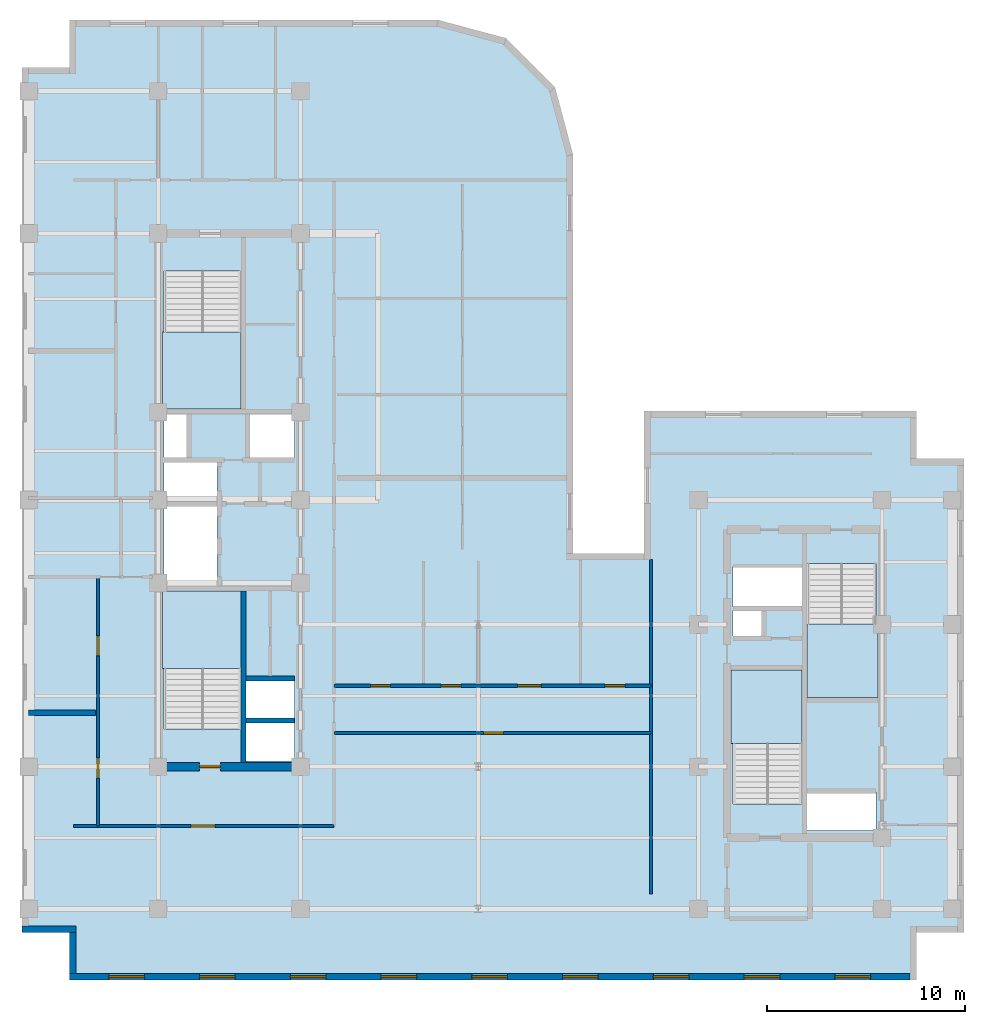
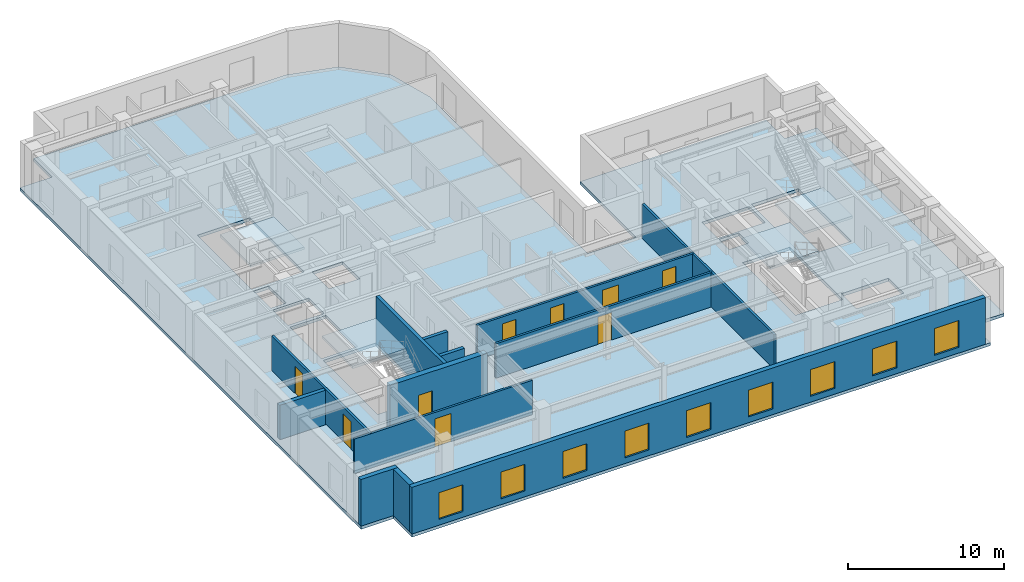
# One storey, part 3 of 10: 13 walls, 9 doors, 9 windows, 5 slabs, 18 openings, 4 elements without a shape of their own.
"""IFC4 building model written with IfcOpenShell, lengths in metres."""

from ifc_helpers import new_model, entity, si_unit, converted_unit, direction, frame, origin_with_axes, origin_2d_with_axis, place, context, subcontext, project, spatial, polyline, rectangle, outline, extrude, material, layer, layer_set, type_object, element, fill, aggregate, save


model = new_model("IFC4")

# Units and contexts
model_context = context("Model", 3, precision=1e-05, world=origin_with_axes(), true_north=direction((0.0, 1.0)))
body_context = subcontext(model_context, "Body", "Model", "MODEL_VIEW")
ifc_project = project(units=[si_unit("LENGTHUNIT", "METRE"), si_unit("AREAUNIT", "SQUARE_METRE"), si_unit("VOLUMEUNIT", "CUBIC_METRE"), converted_unit("PLANEANGLEUNIT", "DEGREE", entity("IfcPlaneAngleMeasure", 0.017453292519943295), si_unit("PLANEANGLEUNIT", "RADIAN"), dimensions=[0, 0, 0, 0, 0, 0, 0]), si_unit("MASSUNIT", "GRAM", prefix="KILO"), si_unit("THERMODYNAMICTEMPERATUREUNIT", "KELVIN")], contexts=[model_context])

# Site, building, storey
site_placement = place(None, origin_with_axes())
site = spatial("IfcSite", under=ifc_project, at=site_placement, CompositionType="ELEMENT")
building_placement = place(site_placement, origin_with_axes())
building = spatial("IfcBuilding", under=site, at=building_placement, Name="Varnlund Millrace Tower", CompositionType="ELEMENT")
storey_placement = place(building_placement, frame((0.0, 0.0, 240.3), z_axis=(0.0, 0.0, 1.0), x_axis=(1.0, 0.0, 0.0)))
storey = spatial("IfcBuildingStorey", under=building, at=storey_placement, Name="L59", CompositionType="ELEMENT", Elevation=240.3)

# Slab
ifc_material_1 = material(Name="Concrete C60/75", Category="concrete")
ifc_layer_1 = layer(ifc_material_1, 0.24, Name="Concrete C60/75")
ifc_layer_set_1 = layer_set([ifc_layer_1], Name="Concrete C60/75")
slab_type_1 = type_object("IfcSlabType", Name="Type-Deck-Plate-Typical-240", PredefinedType="FLOOR", material=ifc_layer_set_1)
slab_1_placement = place(storey_placement, frame((0.0, 0.0, -0.24), z_axis=(0.0, 0.0, 1.0), x_axis=(1.0, 0.0, 0.0)))
element("IfcSlab", 1, at=slab_1_placement, inside=storey, type_object=slab_type_1, Name="Type-Deck-Plate-Typical-240", PredefinedType="FLOOR", context=body_context, shape_type="SweptSolid", body=[
    extrude(outline(polyline([(32.4, 21.6), (32.4, 41.8), (31.489, 45.2), (29.0, 47.689), (25.6, 48.6), (6.9, 48.6), (6.9, 46.2), (4.5, 46.2), (4.5, 2.4), (6.9, 2.4), (6.9, 0.0), (49.8, 0.0), (49.8, 2.4), (52.2, 2.4), (52.2, 26.4), (49.8, 26.4), (49.8, 28.8), (36.0, 28.8), (36.0, 21.6), (32.4, 21.6)]), holes=[polyline([(18.3, 13.1), (18.3, 11.1), (15.84, 11.1), (15.84, 13.1), (18.3, 13.1)]), polyline([(15.6, 12.715), (11.7, 12.715), (11.7, 19.7), (15.6, 19.7), (15.6, 12.715)]), polyline([(11.7, 19.94), (11.7, 23.98), (14.38, 23.98), (14.38, 19.94), (11.7, 19.94)]), polyline([(14.38, 24.24), (11.7, 24.24), (11.7, 26.2), (14.38, 26.2), (14.38, 24.24)]), polyline([(12.84, 26.46), (11.7, 26.46), (11.7, 28.65), (12.84, 28.65), (12.84, 26.46)]), polyline([(15.6, 28.9), (11.7, 28.9), (11.7, 35.885), (15.6, 35.885), (15.6, 28.9)]), polyline([(47.75, 9.52), (47.75, 7.58), (44.25, 7.58), (44.25, 9.52), (47.75, 9.52)]), polyline([(44.0, 8.915), (40.5, 8.915), (40.5, 15.7), (44.0, 15.7), (44.0, 8.915)]), polyline([(18.3, 13.16), (15.84, 13.16), (15.84, 15.24), (18.3, 15.24), (18.3, 13.16)]), polyline([(47.75, 14.3), (44.25, 14.3), (44.25, 21.085), (47.75, 21.085), (47.75, 14.3)]), polyline([(41.95, 17.42), (40.5, 17.42), (40.5, 18.72), (41.95, 18.72), (41.95, 17.42)]), polyline([(44.0, 18.88), (40.5, 18.88), (40.5, 20.94), (44.0, 20.94), (44.0, 18.88)]), polyline([(18.3, 26.46), (16.04, 26.46), (16.04, 28.65), (18.3, 28.65), (18.3, 26.46)])]), origin_with_axes(), (0.0, 0.0, 1.0), 0.24),
])

# Stair, slab
ifc_material_2 = material(Name="Concrete C50/60", Category="concrete")
stair_type_1 = type_object("IfcStairType", Name="Type-Stair-Dogleg-185-390", PredefinedType="HALF_TURN_STAIR", material=ifc_material_2)
stair_1_placement = place(storey_placement, origin_with_axes())
stair_1 = element("IfcStair", 2, at=stair_1_placement, inside=storey, type_object=stair_type_1, Name="Type-Stair-Dogleg-185-390", PredefinedType="HALF_TURN_STAIR")
ifc_layer_2 = layer(ifc_material_2, 0.2, Name="Concrete C50/60")
ifc_layer_set_2 = layer_set([ifc_layer_2], Name="Concrete C50/60")
slab_type_2 = type_object("IfcSlabType", Name="Type-StairLanding-200", PredefinedType="LANDING", material=ifc_layer_set_2)
slab_2_placement = place(storey_placement, frame((0.0, 0.0, 1.75), z_axis=(0.0, 0.0, 1.0), x_axis=(1.0, 0.0, 0.0)))
slab_2 = element("IfcSlab", 3, at=slab_2_placement, type_object=slab_type_2, Name="ST-A1 landing 1", PredefinedType="LANDING", context=body_context, shape_type="SweptSolid", body=[
    extrude(outline(polyline([(15.6, 15.78), (15.6, 19.7), (11.61, 19.7), (11.61, 15.78), (15.6, 15.78)])), origin_with_axes(), (0.0, 0.0, 1.0), 0.2),
])
aggregate(stair_1, [slab_2])

stair_2_placement = place(storey_placement, origin_with_axes())
stair_2 = element("IfcStair", 4, at=stair_2_placement, inside=storey, type_object=stair_type_1, Name="Type-Stair-Dogleg-185-390", PredefinedType="HALF_TURN_STAIR")
slab_3_placement = place(storey_placement, frame((0.0, 0.0, 1.75), z_axis=(0.0, 0.0, 1.0), x_axis=(1.0, 0.0, 0.0)))
slab_3 = element("IfcSlab", 5, at=slab_3_placement, type_object=slab_type_2, Name="ST-A2 landing 1", PredefinedType="LANDING", context=body_context, shape_type="SweptSolid", body=[
    extrude(outline(polyline([(11.61, 32.82), (11.61, 28.9), (15.6, 28.9), (15.6, 32.82), (11.61, 32.82)])), origin_with_axes(), (0.0, 0.0, 1.0), 0.2),
])
aggregate(stair_2, [slab_3])

stair_type_2 = type_object("IfcStairType", Name="Type-Stair-Dogleg-165-390", PredefinedType="HALF_TURN_STAIR", material=ifc_material_2)
stair_3_placement = place(storey_placement, origin_with_axes())
stair_3 = element("IfcStair", 6, at=stair_3_placement, inside=storey, type_object=stair_type_2, Name="Type-Stair-Dogleg-165-390", PredefinedType="HALF_TURN_STAIR")
slab_4_placement = place(storey_placement, frame((0.0, 0.0, 1.75), z_axis=(0.0, 0.0, 1.0), x_axis=(1.0, 0.0, 0.0)))
slab_4 = element("IfcSlab", 7, at=slab_4_placement, type_object=slab_type_2, Name="ST-B1 landing 1", PredefinedType="LANDING", context=body_context, shape_type="SweptSolid", body=[
    extrude(outline(polyline([(44.0, 11.98), (44.0, 15.7), (40.41, 15.7), (40.41, 11.98), (44.0, 11.98)])), origin_with_axes(), (0.0, 0.0, 1.0), 0.2),
])
aggregate(stair_3, [slab_4])

stair_4_placement = place(storey_placement, origin_with_axes())
stair_4 = element("IfcStair", 8, at=stair_4_placement, inside=storey, type_object=stair_type_2, Name="Type-Stair-Dogleg-165-390", PredefinedType="HALF_TURN_STAIR")
slab_5_placement = place(storey_placement, frame((0.0, 0.0, 1.75), z_axis=(0.0, 0.0, 1.0), x_axis=(1.0, 0.0, 0.0)))
slab_5 = element("IfcSlab", 9, at=slab_5_placement, type_object=slab_type_2, Name="ST-B2 landing 1", PredefinedType="LANDING", context=body_context, shape_type="SweptSolid", body=[
    extrude(outline(polyline([(44.25, 18.02), (44.25, 14.3), (47.84, 14.3), (47.84, 18.02), (44.25, 18.02)])), origin_with_axes(), (0.0, 0.0, 1.0), 0.2),
])
aggregate(stair_4, [slab_5])

# Wall, opening, door
ifc_layer_3 = layer(ifc_material_1, 0.42, Name="Concrete C60/75")
ifc_layer_set_3 = layer_set([ifc_layer_3], Name="Concrete C60/75")
wall_type_1 = type_object("IfcWallType", Name="Type-CoreWall-Shear-420-C60", PredefinedType="SHEAR", material=ifc_layer_set_3)
wall_1_placement = place(storey_placement, frame((11.4, 10.8, 0.0), z_axis=(0.0, 0.0, 1.0), x_axis=(1.0, 0.0, 0.0)))
wall_1 = element("IfcWall", 10, at=wall_1_placement, inside=storey, type_object=wall_type_1, Name="Type-CoreWall-Shear-420-C60", PredefinedType="SHEAR", context=body_context, shape_type="SweptSolid", body=[
    extrude(outline(polyline([(0.0, -0.21), (7.2, -0.21), (7.2, 0.21), (0.0, 0.21), (0.0, -0.21)])), origin_with_axes(), (0.0, 0.0, 1.0), 3.66),
])
opening_1_placement = place(wall_1_placement, frame((2.625, 0.0, 0.0), z_axis=(0.0, 0.0, 1.0), x_axis=(1.0, 0.0, 0.0)))
opening_1 = element("IfcOpeningElement", 11, at=opening_1_placement, cuts=wall_1, Name="Opening L59:DR-STA1", PredefinedType="OPENING", context=body_context, shape_type="SweptSolid", body=[
    extrude(rectangle(XDim=1.05, YDim=0.44, at=origin_2d_with_axis()), origin_with_axes(), (0.0, 0.0, 1.0), 2.15),
])
ifc_material_3 = material(Name="Fire-rated hollow steel door", Category="steel")
door_type_1 = type_object("IfcDoorType", Name="Type-FireDoor-Stair-1050X2150", OperationType="NOTDEFINED", PredefinedType="DOOR", material=ifc_material_3)
door_1_placement = place(wall_1_placement, frame((2.625, 0.0, 0.0), z_axis=(0.0, 0.0, 1.0), x_axis=(1.0, 0.0, 0.0)))
door_1 = element("IfcDoor", 12, at=door_1_placement, inside=storey, type_object=door_type_1, Name="Type-FireDoor-Stair-1050X2150", OperationType="SINGLE_SWING_LEFT", OverallHeight=2.15, OverallWidth=1.05, PredefinedType="DOOR", context=body_context, shape_type="SweptSolid", body=[
    extrude(rectangle(XDim=1.05, YDim=0.09, at=origin_2d_with_axis()), origin_with_axes(), (0.0, 0.0, 1.0), 2.15),
])
fill(opening_1, door_1)

# Wall, openings, windows
ifc_material_4 = material(Name="Precast concrete C50/60", Category="concrete")
ifc_layer_4 = layer(ifc_material_4, 0.34, Name="Precast concrete C50/60")
ifc_layer_set_4 = layer_set([ifc_layer_4], Name="Precast concrete C50/60")
wall_type_2 = type_object("IfcWallType", Name="Type-ExtWall-Precast-Upper-340", PredefinedType="SOLIDWALL", material=ifc_layer_set_4)
wall_2_placement = place(storey_placement, frame((49.46, 0.17, 0.0), z_axis=(0.0, 0.0, 1.0), x_axis=(-1.0, 0.0, 0.0)))
wall_2 = element("IfcWall", 13, at=wall_2_placement, inside=storey, type_object=wall_type_2, Name="Type-ExtWall-Precast-Upper-340", PredefinedType="SOLIDWALL", context=body_context, shape_type="SweptSolid", body=[
    extrude(outline(polyline([(0.0, -0.17), (42.56, -0.17), (42.56, 0.17), (0.0, 0.17), (0.0, -0.17)])), origin_with_axes(), (0.0, 0.0, 1.0), 3.66),
])
opening_2_placement = place(wall_2_placement, frame((2.898, 0.0, 0.45), z_axis=(0.0, 0.0, 1.0), x_axis=(1.0, 0.0, 0.0)))
opening_2 = element("IfcOpeningElement", 14, at=opening_2_placement, cuts=wall_2, Name="Opening L59:WN-07", PredefinedType="OPENING", context=body_context, shape_type="SweptSolid", body=[
    extrude(rectangle(XDim=1.8, YDim=0.36, at=origin_2d_with_axis()), origin_with_axes(), (0.0, 0.0, 1.0), 2.1),
])
opening_3_placement = place(wall_2_placement, frame((7.493, 0.0, 0.45), z_axis=(0.0, 0.0, 1.0), x_axis=(1.0, 0.0, 0.0)))
opening_3 = element("IfcOpeningElement", 15, at=opening_3_placement, cuts=wall_2, Name="Opening L59:WN-08", PredefinedType="OPENING", context=body_context, shape_type="SweptSolid", body=[
    extrude(rectangle(XDim=1.8, YDim=0.36, at=origin_2d_with_axis()), origin_with_axes(), (0.0, 0.0, 1.0), 2.1),
])
opening_4_placement = place(wall_2_placement, frame((12.089, 0.0, 0.45), z_axis=(0.0, 0.0, 1.0), x_axis=(1.0, 0.0, 0.0)))
opening_4 = element("IfcOpeningElement", 16, at=opening_4_placement, cuts=wall_2, Name="Opening L59:WN-09", PredefinedType="OPENING", context=body_context, shape_type="SweptSolid", body=[
    extrude(rectangle(XDim=1.8, YDim=0.36, at=origin_2d_with_axis()), origin_with_axes(), (0.0, 0.0, 1.0), 2.1),
])
opening_5_placement = place(wall_2_placement, frame((16.684, 0.0, 0.45), z_axis=(0.0, 0.0, 1.0), x_axis=(1.0, 0.0, 0.0)))
opening_5 = element("IfcOpeningElement", 17, at=opening_5_placement, cuts=wall_2, Name="Opening L59:WN-10", PredefinedType="OPENING", context=body_context, shape_type="SweptSolid", body=[
    extrude(rectangle(XDim=1.8, YDim=0.36, at=origin_2d_with_axis()), origin_with_axes(), (0.0, 0.0, 1.0), 2.1),
])
opening_6_placement = place(wall_2_placement, frame((21.28, 0.0, 0.45), z_axis=(0.0, 0.0, 1.0), x_axis=(1.0, 0.0, 0.0)))
opening_6 = element("IfcOpeningElement", 18, at=opening_6_placement, cuts=wall_2, Name="Opening L59:WN-11", PredefinedType="OPENING", context=body_context, shape_type="SweptSolid", body=[
    extrude(rectangle(XDim=1.8, YDim=0.36, at=origin_2d_with_axis()), origin_with_axes(), (0.0, 0.0, 1.0), 2.1),
])
opening_7_placement = place(wall_2_placement, frame((25.876, 0.0, 0.45), z_axis=(0.0, 0.0, 1.0), x_axis=(1.0, 0.0, 0.0)))
opening_7 = element("IfcOpeningElement", 19, at=opening_7_placement, cuts=wall_2, Name="Opening L59:WN-12", PredefinedType="OPENING", context=body_context, shape_type="SweptSolid", body=[
    extrude(rectangle(XDim=1.8, YDim=0.36, at=origin_2d_with_axis()), origin_with_axes(), (0.0, 0.0, 1.0), 2.1),
])
opening_8_placement = place(wall_2_placement, frame((30.471, 0.0, 0.45), z_axis=(0.0, 0.0, 1.0), x_axis=(1.0, 0.0, 0.0)))
opening_8 = element("IfcOpeningElement", 20, at=opening_8_placement, cuts=wall_2, Name="Opening L59:WN-13", PredefinedType="OPENING", context=body_context, shape_type="SweptSolid", body=[
    extrude(rectangle(XDim=1.8, YDim=0.36, at=origin_2d_with_axis()), origin_with_axes(), (0.0, 0.0, 1.0), 2.1),
])
opening_9_placement = place(wall_2_placement, frame((35.067, 0.0, 0.45), z_axis=(0.0, 0.0, 1.0), x_axis=(1.0, 0.0, 0.0)))
opening_9 = element("IfcOpeningElement", 21, at=opening_9_placement, cuts=wall_2, Name="Opening L59:WN-14", PredefinedType="OPENING", context=body_context, shape_type="SweptSolid", body=[
    extrude(rectangle(XDim=1.8, YDim=0.36, at=origin_2d_with_axis()), origin_with_axes(), (0.0, 0.0, 1.0), 2.1),
])
opening_10_placement = place(wall_2_placement, frame((39.662, 0.0, 0.45), z_axis=(0.0, 0.0, 1.0), x_axis=(1.0, 0.0, 0.0)))
opening_10 = element("IfcOpeningElement", 22, at=opening_10_placement, cuts=wall_2, Name="Opening L59:WN-15", PredefinedType="OPENING", context=body_context, shape_type="SweptSolid", body=[
    extrude(rectangle(XDim=1.8, YDim=0.36, at=origin_2d_with_axis()), origin_with_axes(), (0.0, 0.0, 1.0), 2.1),
])
ifc_material_5 = material(Name="Argon low-e triple glazing in thermally broken bronze frame", Category="glass")
window_type = type_object("IfcWindowType", Name="Type-Window-Punched-1800X2100", PartitioningType="SINGLE_PANEL", PredefinedType="WINDOW", material=ifc_material_5)
window_1_placement = place(wall_2_placement, frame((2.898, 0.0, 0.45), z_axis=(0.0, 0.0, 1.0), x_axis=(1.0, 0.0, 0.0)))
window_1 = element("IfcWindow", 23, at=window_1_placement, inside=storey, type_object=window_type, Name="Type-Window-Punched-1800X2100", OverallHeight=2.1, OverallWidth=1.8, PredefinedType="WINDOW", context=body_context, shape_type="SweptSolid", body=[
    extrude(rectangle(XDim=1.8, YDim=0.09, at=origin_2d_with_axis()), origin_with_axes(), (0.0, 0.0, 1.0), 2.1),
])
fill(opening_2, window_1)
window_2_placement = place(wall_2_placement, frame((7.493, 0.0, 0.45), z_axis=(0.0, 0.0, 1.0), x_axis=(1.0, 0.0, 0.0)))
window_2 = element("IfcWindow", 24, at=window_2_placement, inside=storey, type_object=window_type, Name="Type-Window-Punched-1800X2100", OverallHeight=2.1, OverallWidth=1.8, PredefinedType="WINDOW", context=body_context, shape_type="SweptSolid", body=[
    extrude(rectangle(XDim=1.8, YDim=0.09, at=origin_2d_with_axis()), origin_with_axes(), (0.0, 0.0, 1.0), 2.1),
])
fill(opening_3, window_2)
window_3_placement = place(wall_2_placement, frame((12.089, 0.0, 0.45), z_axis=(0.0, 0.0, 1.0), x_axis=(1.0, 0.0, 0.0)))
window_3 = element("IfcWindow", 25, at=window_3_placement, inside=storey, type_object=window_type, Name="Type-Window-Punched-1800X2100", OverallHeight=2.1, OverallWidth=1.8, PredefinedType="WINDOW", context=body_context, shape_type="SweptSolid", body=[
    extrude(rectangle(XDim=1.8, YDim=0.09, at=origin_2d_with_axis()), origin_with_axes(), (0.0, 0.0, 1.0), 2.1),
])
fill(opening_4, window_3)
window_4_placement = place(wall_2_placement, frame((16.684, 0.0, 0.45), z_axis=(0.0, 0.0, 1.0), x_axis=(1.0, 0.0, 0.0)))
window_4 = element("IfcWindow", 26, at=window_4_placement, inside=storey, type_object=window_type, Name="Type-Window-Punched-1800X2100", OverallHeight=2.1, OverallWidth=1.8, PredefinedType="WINDOW", context=body_context, shape_type="SweptSolid", body=[
    extrude(rectangle(XDim=1.8, YDim=0.09, at=origin_2d_with_axis()), origin_with_axes(), (0.0, 0.0, 1.0), 2.1),
])
fill(opening_5, window_4)
window_5_placement = place(wall_2_placement, frame((21.28, 0.0, 0.45), z_axis=(0.0, 0.0, 1.0), x_axis=(1.0, 0.0, 0.0)))
window_5 = element("IfcWindow", 27, at=window_5_placement, inside=storey, type_object=window_type, Name="Type-Window-Punched-1800X2100", OverallHeight=2.1, OverallWidth=1.8, PredefinedType="WINDOW", context=body_context, shape_type="SweptSolid", body=[
    extrude(rectangle(XDim=1.8, YDim=0.09, at=origin_2d_with_axis()), origin_with_axes(), (0.0, 0.0, 1.0), 2.1),
])
fill(opening_6, window_5)
window_6_placement = place(wall_2_placement, frame((25.876, 0.0, 0.45), z_axis=(0.0, 0.0, 1.0), x_axis=(1.0, 0.0, 0.0)))
window_6 = element("IfcWindow", 28, at=window_6_placement, inside=storey, type_object=window_type, Name="Type-Window-Punched-1800X2100", OverallHeight=2.1, OverallWidth=1.8, PredefinedType="WINDOW", context=body_context, shape_type="SweptSolid", body=[
    extrude(rectangle(XDim=1.8, YDim=0.09, at=origin_2d_with_axis()), origin_with_axes(), (0.0, 0.0, 1.0), 2.1),
])
fill(opening_7, window_6)
window_7_placement = place(wall_2_placement, frame((30.471, 0.0, 0.45), z_axis=(0.0, 0.0, 1.0), x_axis=(1.0, 0.0, 0.0)))
window_7 = element("IfcWindow", 29, at=window_7_placement, inside=storey, type_object=window_type, Name="Type-Window-Punched-1800X2100", OverallHeight=2.1, OverallWidth=1.8, PredefinedType="WINDOW", context=body_context, shape_type="SweptSolid", body=[
    extrude(rectangle(XDim=1.8, YDim=0.09, at=origin_2d_with_axis()), origin_with_axes(), (0.0, 0.0, 1.0), 2.1),
])
fill(opening_8, window_7)
window_8_placement = place(wall_2_placement, frame((35.067, 0.0, 0.45), z_axis=(0.0, 0.0, 1.0), x_axis=(1.0, 0.0, 0.0)))
window_8 = element("IfcWindow", 30, at=window_8_placement, inside=storey, type_object=window_type, Name="Type-Window-Punched-1800X2100", OverallHeight=2.1, OverallWidth=1.8, PredefinedType="WINDOW", context=body_context, shape_type="SweptSolid", body=[
    extrude(rectangle(XDim=1.8, YDim=0.09, at=origin_2d_with_axis()), origin_with_axes(), (0.0, 0.0, 1.0), 2.1),
])
fill(opening_9, window_8)
window_9_placement = place(wall_2_placement, frame((39.662, 0.0, 0.45), z_axis=(0.0, 0.0, 1.0), x_axis=(1.0, 0.0, 0.0)))
window_9 = element("IfcWindow", 31, at=window_9_placement, inside=storey, type_object=window_type, Name="Type-Window-Punched-1800X2100", OverallHeight=2.1, OverallWidth=1.8, PredefinedType="WINDOW", context=body_context, shape_type="SweptSolid", body=[
    extrude(rectangle(XDim=1.8, YDim=0.09, at=origin_2d_with_axis()), origin_with_axes(), (0.0, 0.0, 1.0), 2.1),
])
fill(opening_10, window_9)

# Walls
wall_3_placement = place(storey_placement, frame((7.07, 0.34, 0.0), z_axis=(0.0, 0.0, 1.0), x_axis=(0.0, 1.0, 0.0)))
element("IfcWall", 32, at=wall_3_placement, inside=storey, type_object=wall_type_2, Name="Type-ExtWall-Precast-Upper-340", PredefinedType="SOLIDWALL", context=body_context, shape_type="SweptSolid", body=[
    extrude(outline(polyline([(0.0, -0.17), (2.06, -0.17), (2.06, 0.17), (0.0, 0.17), (0.0, -0.17)])), origin_with_axes(), (0.0, 0.0, 1.0), 3.66),
])
wall_4_placement = place(storey_placement, frame((7.24, 2.57, 0.0), z_axis=(0.0, 0.0, 1.0), x_axis=(-1.0, 0.0, 0.0)))
element("IfcWall", 33, at=wall_4_placement, inside=storey, type_object=wall_type_2, Name="Type-ExtWall-Precast-Upper-340", PredefinedType="SOLIDWALL", context=body_context, shape_type="SweptSolid", body=[
    extrude(outline(polyline([(0.0, -0.17), (2.74, -0.17), (2.74, 0.17), (0.0, 0.17), (0.0, -0.17)])), origin_with_axes(), (0.0, 0.0, 1.0), 3.66),
])
ifc_material_6 = material(Name="Double-stud STC-60 conference acoustic partition", Category="gypsum")
ifc_layer_5 = layer(ifc_material_6, 0.28, Name="Double-stud STC-60 conference acoustic partition")
ifc_layer_set_5 = layer_set([ifc_layer_5], Name="Double-stud STC-60 conference acoustic partition")
wall_type_3 = type_object("IfcWallType", Name="Type-Partition-Acoustic-280", PredefinedType="PARTITIONING", material=ifc_layer_set_5)
wall_5_placement = place(storey_placement, frame((4.835, 13.534, 0.0), z_axis=(0.0, 0.0, 1.0), x_axis=(1.0, 0.0, 0.0)))
element("IfcWall", 34, at=wall_5_placement, inside=storey, type_object=wall_type_3, Name="Type-Partition-Acoustic-280", PredefinedType="PARTITIONING", context=body_context, shape_type="SweptSolid", body=[
    extrude(outline(polyline([(0.0, -0.14), (3.395, -0.14), (3.395, 0.14), (0.0, 0.14), (0.0, -0.14)])), origin_with_axes(), (0.0, 0.0, 1.0), 2.7),
])

# Wall, opening, door
ifc_material_7 = material(Name="Fire-rated gypsum board on cold-formed steel framing", Category="steel")
ifc_layer_6 = layer(ifc_material_7, 0.16, Name="Fire-rated gypsum board on cold-formed steel framing")
ifc_layer_set_6 = layer_set([ifc_layer_6], Name="Fire-rated gypsum board on cold-formed steel framing")
wall_type_4 = type_object("IfcWallType", Name="Type-Partition-Corridor-160", PredefinedType="PARTITIONING", material=ifc_layer_set_6)
wall_6_placement = place(storey_placement, frame((7.1, 7.8, 0.0), z_axis=(0.0, 0.0, 1.0), x_axis=(1.0, 0.0, 0.0)))
wall_6 = element("IfcWall", 35, at=wall_6_placement, inside=storey, type_object=wall_type_4, Name="Type-Partition-Corridor-160", PredefinedType="PARTITIONING", context=body_context, shape_type="SweptSolid", body=[
    extrude(outline(polyline([(0.0, -0.08), (13.2, -0.08), (13.2, 0.08), (0.0, 0.08), (0.0, -0.08)])), origin_with_axes(), (0.0, 0.0, 1.0), 2.7),
])
opening_11_placement = place(wall_6_placement, frame((6.57, 0.0, 0.0), z_axis=(0.0, 0.0, 1.0), x_axis=(1.0, 0.0, 0.0)))
opening_11 = element("IfcOpeningElement", 36, at=opening_11_placement, cuts=wall_6, Name="Opening L59:DR-WAS-01", PredefinedType="OPENING", context=body_context, shape_type="SweptSolid", body=[
    extrude(rectangle(XDim=1.2, YDim=0.18, at=origin_2d_with_axis()), origin_with_axes(), (0.0, 0.0, 1.0), 2.2),
])
ifc_material_8 = material(Name="Wide executive white oak acoustic door")
door_type_2 = type_object("IfcDoorType", Name="Type-IntDoor-Exec-1200X2200", OperationType="NOTDEFINED", PredefinedType="DOOR", material=ifc_material_8)
door_2_placement = place(wall_6_placement, frame((6.57, 0.0, 0.0), z_axis=(0.0, 0.0, 1.0), x_axis=(1.0, 0.0, 0.0)))
door_2 = element("IfcDoor", 37, at=door_2_placement, inside=storey, type_object=door_type_2, Name="Type-IntDoor-Exec-1200X2200", OperationType="SINGLE_SWING_LEFT", OverallHeight=2.2, OverallWidth=1.2, PredefinedType="DOOR", context=body_context, shape_type="SweptSolid", body=[
    extrude(rectangle(XDim=1.2, YDim=0.09, at=origin_2d_with_axis()), origin_with_axes(), (0.0, 0.0, 1.0), 2.2),
])
fill(opening_11, door_2)

# Wall, openings, doors
wall_7_placement = place(storey_placement, frame((8.35, 7.8, 0.0), z_axis=(0.0, 0.0, 1.0), x_axis=(0.0, 1.0, 0.0)))
wall_7 = element("IfcWall", 38, at=wall_7_placement, inside=storey, type_object=wall_type_4, Name="Type-Partition-Corridor-160", PredefinedType="PARTITIONING", context=body_context, shape_type="SweptSolid", body=[
    extrude(outline(polyline([(0.0, -0.08), (12.6, -0.08), (12.6, 0.08), (0.0, 0.08), (0.0, -0.08)])), origin_with_axes(), (0.0, 0.0, 1.0), 2.7),
])
opening_12_placement = place(wall_7_placement, frame((2.932, 0.0, 0.0), z_axis=(0.0, 0.0, 1.0), x_axis=(1.0, 0.0, 0.0)))
opening_12 = element("IfcOpeningElement", 39, at=opening_12_placement, cuts=wall_7, Name="Opening L59:DR-WS-01", PredefinedType="OPENING", context=body_context, shape_type="SweptSolid", body=[
    extrude(rectangle(XDim=1.0, YDim=0.18, at=origin_2d_with_axis()), origin_with_axes(), (0.0, 0.0, 1.0), 2.15),
])
opening_13_placement = place(wall_7_placement, frame((9.127, 0.0, 0.0), z_axis=(0.0, 0.0, 1.0), x_axis=(1.0, 0.0, 0.0)))
opening_13 = element("IfcOpeningElement", 40, at=opening_13_placement, cuts=wall_7, Name="Opening L59:DR-WS-02", PredefinedType="OPENING", context=body_context, shape_type="SweptSolid", body=[
    extrude(rectangle(XDim=1.0, YDim=0.18, at=origin_2d_with_axis()), origin_with_axes(), (0.0, 0.0, 1.0), 2.15),
])
ifc_material_9 = material(Name="Solid-core white oak and bronze frame door")
door_type_3 = type_object("IfcDoorType", Name="Type-IntDoor-Office-1000X2150", OperationType="NOTDEFINED", PredefinedType="DOOR", material=ifc_material_9)
door_3_placement = place(wall_7_placement, frame((2.932, 0.0, 0.0), z_axis=(0.0, 0.0, 1.0), x_axis=(1.0, 0.0, 0.0)))
door_3 = element("IfcDoor", 41, at=door_3_placement, inside=storey, type_object=door_type_3, Name="Type-IntDoor-Office-1000X2150", OperationType="SINGLE_SWING_LEFT", OverallHeight=2.15, OverallWidth=1.0, PredefinedType="DOOR", context=body_context, shape_type="SweptSolid", body=[
    extrude(rectangle(XDim=1.0, YDim=0.09, at=origin_2d_with_axis()), origin_with_axes(), (0.0, 0.0, 1.0), 2.15),
])
fill(opening_12, door_3)
door_4_placement = place(wall_7_placement, frame((9.127, 0.0, 0.0), z_axis=(0.0, 0.0, 1.0), x_axis=(1.0, 0.0, 0.0)))
door_4 = element("IfcDoor", 42, at=door_4_placement, inside=storey, type_object=door_type_3, Name="Type-IntDoor-Office-1000X2150", OperationType="SINGLE_SWING_RIGHT", OverallHeight=2.15, OverallWidth=1.0, PredefinedType="DOOR", context=body_context, shape_type="SweptSolid", body=[
    extrude(rectangle(XDim=1.0, YDim=0.09, at=origin_2d_with_axis()), origin_with_axes(), (0.0, 0.0, 1.0), 2.15),
])
fill(opening_13, door_4)

# Wall, opening, door
wall_8_placement = place(storey_placement, frame((20.3, 12.5, 0.0), z_axis=(0.0, 0.0, 1.0), x_axis=(1.0, 0.0, 0.0)))
wall_8 = element("IfcWall", 43, at=wall_8_placement, inside=storey, type_object=wall_type_4, Name="Type-Partition-Corridor-160", PredefinedType="PARTITIONING", context=body_context, shape_type="SweptSolid", body=[
    extrude(outline(polyline([(0.0, -0.08), (16.05, -0.08), (16.05, 0.08), (0.0, 0.08), (0.0, -0.08)])), origin_with_axes(), (0.0, 0.0, 1.0), 2.7),
])
opening_14_placement = place(wall_8_placement, frame((8.075, 0.0, 0.0), z_axis=(0.0, 0.0, 1.0), x_axis=(1.0, 0.0, 0.0)))
opening_14 = element("IfcOpeningElement", 44, at=opening_14_placement, cuts=wall_8, Name="Opening L59:DR-KNS-01", PredefinedType="OPENING", context=body_context, shape_type="SweptSolid", body=[
    extrude(rectangle(XDim=1.0, YDim=0.18, at=origin_2d_with_axis()), origin_with_axes(), (0.0, 0.0, 1.0), 2.15),
])
door_5_placement = place(wall_8_placement, frame((8.075, 0.0, 0.0), z_axis=(0.0, 0.0, 1.0), x_axis=(1.0, 0.0, 0.0)))
door_5 = element("IfcDoor", 45, at=door_5_placement, inside=storey, type_object=door_type_3, Name="Type-IntDoor-Office-1000X2150", OperationType="SINGLE_SWING_LEFT", OverallHeight=2.15, OverallWidth=1.0, PredefinedType="DOOR", context=body_context, shape_type="SweptSolid", body=[
    extrude(rectangle(XDim=1.0, YDim=0.09, at=origin_2d_with_axis()), origin_with_axes(), (0.0, 0.0, 1.0), 2.15),
])
fill(opening_14, door_5)

# Wall, openings, doors
wall_9_placement = place(storey_placement, frame((20.3, 14.9, 0.0), z_axis=(0.0, 0.0, 1.0), x_axis=(1.0, 0.0, 0.0)))
wall_9 = element("IfcWall", 46, at=wall_9_placement, inside=storey, type_object=wall_type_4, Name="Type-Partition-Corridor-160", PredefinedType="PARTITIONING", context=body_context, shape_type="SweptSolid", body=[
    extrude(outline(polyline([(0.0, -0.08), (16.05, -0.08), (16.05, 0.08), (0.0, 0.08), (0.0, -0.08)])), origin_with_axes(), (0.0, 0.0, 1.0), 2.7),
])
opening_15_placement = place(wall_9_placement, frame((2.358, 0.0, 0.0), z_axis=(0.0, 0.0, 1.0), x_axis=(1.0, 0.0, 0.0)))
opening_15 = element("IfcOpeningElement", 47, at=opening_15_placement, cuts=wall_9, Name="Opening L59:DR-KN-01", PredefinedType="OPENING", context=body_context, shape_type="SweptSolid", body=[
    extrude(rectangle(XDim=1.0, YDim=0.18, at=origin_2d_with_axis()), origin_with_axes(), (0.0, 0.0, 1.0), 2.15),
])
opening_16_placement = place(wall_9_placement, frame((5.918, 0.0, 0.0), z_axis=(0.0, 0.0, 1.0), x_axis=(1.0, 0.0, 0.0)))
opening_16 = element("IfcOpeningElement", 48, at=opening_16_placement, cuts=wall_9, Name="Opening L59:DR-KN-02", PredefinedType="OPENING", context=body_context, shape_type="SweptSolid", body=[
    extrude(rectangle(XDim=1.0, YDim=0.18, at=origin_2d_with_axis()), origin_with_axes(), (0.0, 0.0, 1.0), 2.15),
])
opening_17_placement = place(wall_9_placement, frame((9.89, 0.0, 0.0), z_axis=(0.0, 0.0, 1.0), x_axis=(1.0, 0.0, 0.0)))
opening_17 = element("IfcOpeningElement", 49, at=opening_17_placement, cuts=wall_9, Name="Opening L59:DR-KN-03", PredefinedType="OPENING", context=body_context, shape_type="SweptSolid", body=[
    extrude(rectangle(XDim=1.2, YDim=0.18, at=origin_2d_with_axis()), origin_with_axes(), (0.0, 0.0, 1.0), 2.2),
])
opening_18_placement = place(wall_9_placement, frame((14.225, 0.0, 0.0), z_axis=(0.0, 0.0, 1.0), x_axis=(1.0, 0.0, 0.0)))
opening_18 = element("IfcOpeningElement", 50, at=opening_18_placement, cuts=wall_9, Name="Opening L59:DR-KN-04", PredefinedType="OPENING", context=body_context, shape_type="SweptSolid", body=[
    extrude(rectangle(XDim=1.0, YDim=0.18, at=origin_2d_with_axis()), origin_with_axes(), (0.0, 0.0, 1.0), 2.15),
])
door_6_placement = place(wall_9_placement, frame((9.89, 0.0, 0.0), z_axis=(0.0, 0.0, 1.0), x_axis=(1.0, 0.0, 0.0)))
door_6 = element("IfcDoor", 51, at=door_6_placement, inside=storey, type_object=door_type_2, Name="Type-IntDoor-Exec-1200X2200", OperationType="SINGLE_SWING_LEFT", OverallHeight=2.2, OverallWidth=1.2, PredefinedType="DOOR", context=body_context, shape_type="SweptSolid", body=[
    extrude(rectangle(XDim=1.2, YDim=0.09, at=origin_2d_with_axis()), origin_with_axes(), (0.0, 0.0, 1.0), 2.2),
])
fill(opening_17, door_6)
door_7_placement = place(wall_9_placement, frame((2.358, 0.0, 0.0), z_axis=(0.0, 0.0, 1.0), x_axis=(1.0, 0.0, 0.0)))
door_7 = element("IfcDoor", 52, at=door_7_placement, inside=storey, type_object=door_type_3, Name="Type-IntDoor-Office-1000X2150", OperationType="SINGLE_SWING_LEFT", OverallHeight=2.15, OverallWidth=1.0, PredefinedType="DOOR", context=body_context, shape_type="SweptSolid", body=[
    extrude(rectangle(XDim=1.0, YDim=0.09, at=origin_2d_with_axis()), origin_with_axes(), (0.0, 0.0, 1.0), 2.15),
])
fill(opening_15, door_7)
door_8_placement = place(wall_9_placement, frame((5.918, 0.0, 0.0), z_axis=(0.0, 0.0, 1.0), x_axis=(1.0, 0.0, 0.0)))
door_8 = element("IfcDoor", 53, at=door_8_placement, inside=storey, type_object=door_type_3, Name="Type-IntDoor-Office-1000X2150", OperationType="SINGLE_SWING_RIGHT", OverallHeight=2.15, OverallWidth=1.0, PredefinedType="DOOR", context=body_context, shape_type="SweptSolid", body=[
    extrude(rectangle(XDim=1.0, YDim=0.09, at=origin_2d_with_axis()), origin_with_axes(), (0.0, 0.0, 1.0), 2.15),
])
fill(opening_16, door_8)
door_9_placement = place(wall_9_placement, frame((14.225, 0.0, 0.0), z_axis=(0.0, 0.0, 1.0), x_axis=(1.0, 0.0, 0.0)))
door_9 = element("IfcDoor", 54, at=door_9_placement, inside=storey, type_object=door_type_3, Name="Type-IntDoor-Office-1000X2150", OperationType="SINGLE_SWING_RIGHT", OverallHeight=2.15, OverallWidth=1.0, PredefinedType="DOOR", context=body_context, shape_type="SweptSolid", body=[
    extrude(rectangle(XDim=1.0, YDim=0.09, at=origin_2d_with_axis()), origin_with_axes(), (0.0, 0.0, 1.0), 2.15),
])
fill(opening_18, door_9)

# Walls
wall_10_placement = place(storey_placement, frame((36.35, 4.35, 0.0), z_axis=(0.0, 0.0, 1.0), x_axis=(0.0, 1.0, 0.0)))
element("IfcWall", 55, at=wall_10_placement, inside=storey, type_object=wall_type_4, Name="Type-Partition-Corridor-160", PredefinedType="PARTITIONING", context=body_context, shape_type="SweptSolid", body=[
    extrude(outline(polyline([(0.0, -0.08), (16.95, -0.08), (16.95, 0.08), (0.0, 0.08), (0.0, -0.08)])), origin_with_axes(), (0.0, 0.0, 1.0), 2.7),
])
ifc_layer_7 = layer(ifc_material_1, 0.25, Name="Concrete C60/75")
ifc_layer_set_7 = layer_set([ifc_layer_7], Name="Concrete C60/75")
wall_type_5 = type_object("IfcWallType", Name="Type-ShaftWall-Fire-250", PredefinedType="SOLIDWALL", material=ifc_layer_set_7)
for number, where, z_axis, x_axis, name in (
    (56, (15.84, 13.13, 0.0), (0.0, 0.0, 1.0), (1.0, 0.0, 0.0), "Type-ShaftWall-Fire-250"),
    (57, (15.84, 15.27, 0.0), (0.0, 0.0, 1.0), (1.0, 0.0, 0.0), "Type-ShaftWall-Fire-250"),
):
    element("IfcWall", number, at=place(storey_placement, frame(where, z_axis=z_axis, x_axis=x_axis)), inside=storey, type_object=wall_type_5, Name=name, PredefinedType="SOLIDWALL", context=body_context, shape_type="SweptSolid", body=[
        extrude(outline(polyline([(0.0, -0.125), (2.46, -0.125), (2.46, 0.125), (0.0, 0.125), (0.0, -0.125)])), origin_with_axes(), (0.0, 0.0, 1.0), 2.7),
    ])
wall_type_6 = type_object("IfcWallType", Name="Type-StairWall-Shear-250", PredefinedType="SHEAR", material=ifc_layer_set_7)
wall_11_placement = place(storey_placement, frame((15.725, 11.01, 0.0), z_axis=(0.0, 0.0, 1.0), x_axis=(0.0, 1.0, 0.0)))
element("IfcWall", 58, at=wall_11_placement, inside=storey, type_object=wall_type_6, Name="Type-StairWall-Shear-250", PredefinedType="SHEAR", context=body_context, shape_type="SweptSolid", body=[
    extrude(outline(polyline([(0.0, -0.125), (8.69, -0.125), (8.69, 0.125), (0.0, 0.125), (0.0, -0.125)])), origin_with_axes(), (0.0, 0.0, 1.0), 3.66),
])

save(model, "model.ifc")
